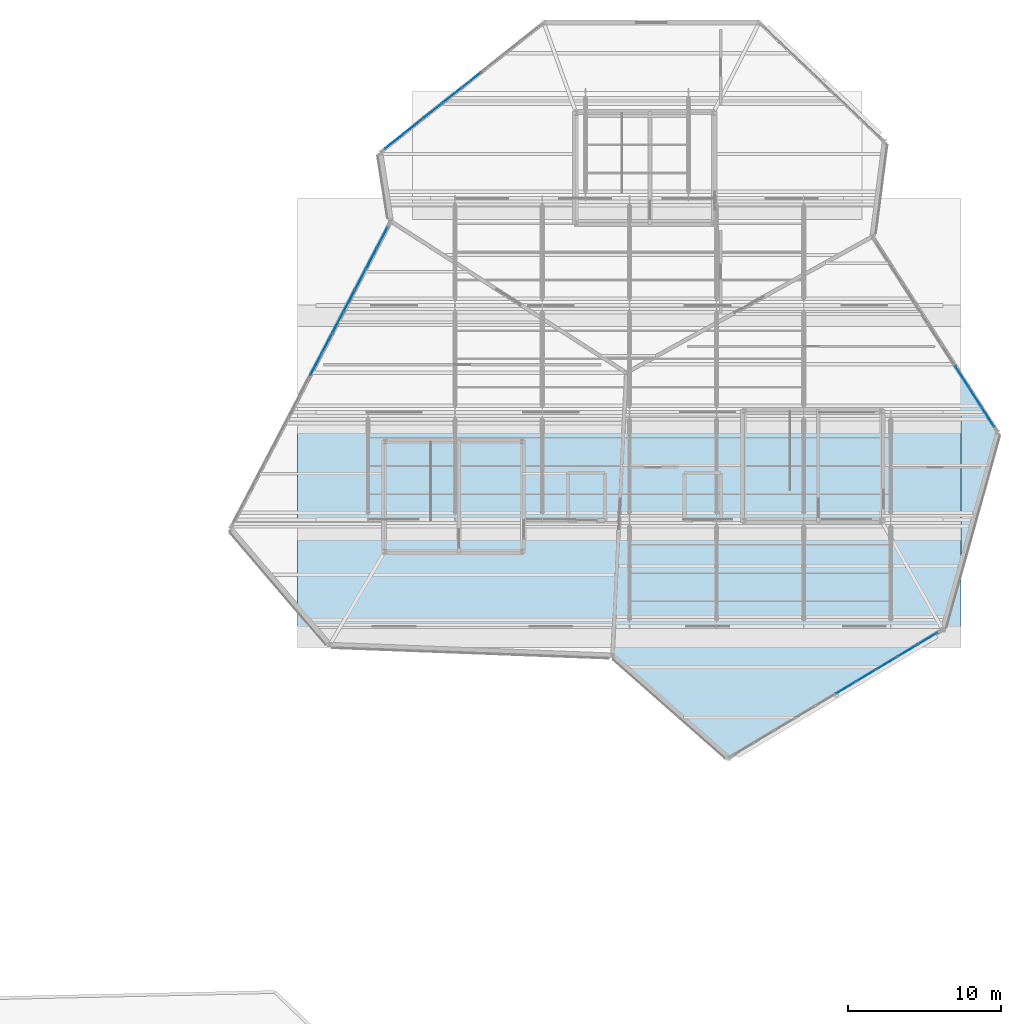
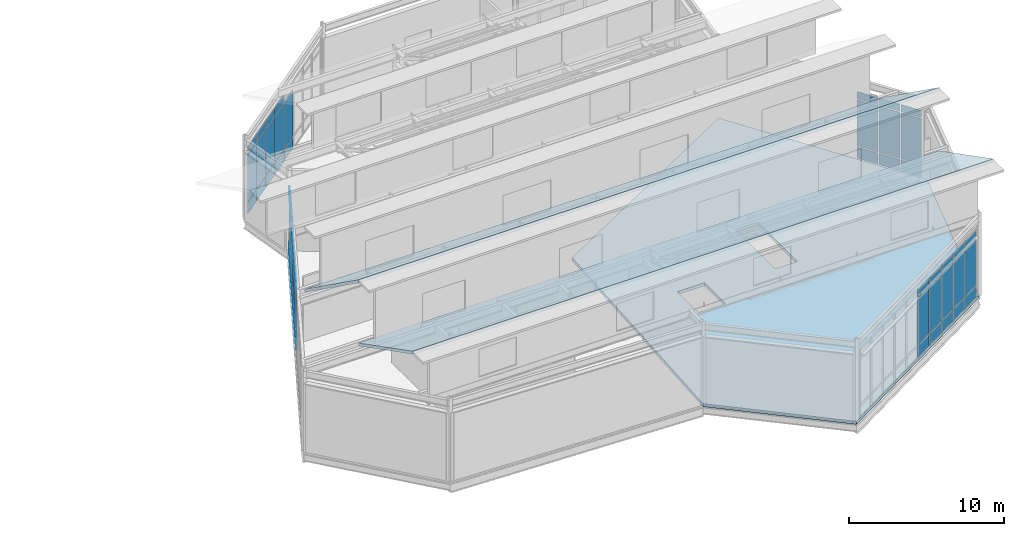
# One storey, part 43 of 55: 59 plates, 3 slabs, 4 elements without a shape of their own.
"""IFC4 building model written with IfcOpenShell, lengths in metres."""

from ifc_helpers import new_model, si_unit, direction, frame, origin, origin_2d, place, context, subcontext, project, spatial, polyline, rectangle, outline, extrude, material, layer, layer_set, type_object, element, aggregate, save


model = new_model("IFC4")

# Units and contexts
model_context = context("Model", 3, precision=1e-05, world=origin(), true_north=direction((0.0, 1.0)))
body_context = subcontext(model_context, "Body", "Model", "MODEL_VIEW")
ifc_project = project(units=[si_unit("LENGTHUNIT", "METRE"), si_unit("AREAUNIT", "SQUARE_METRE"), si_unit("VOLUMEUNIT", "CUBIC_METRE"), si_unit("PLANEANGLEUNIT", "RADIAN"), si_unit("MASSUNIT", "GRAM", prefix="KILO")], contexts=[model_context])

# Site, building, storey
site_placement = place(None, origin())
site = spatial("IfcSite", under=ifc_project, at=site_placement, CompositionType="ELEMENT")
building_placement = place(site_placement, origin())
building = spatial("IfcBuilding", under=site, at=building_placement, Name="Tameran Prism Museum", CompositionType="ELEMENT")
storey_placement = place(building_placement, frame((0.0, 0.0, 28.800048828125)))
storey = spatial("IfcBuildingStorey", under=building, at=storey_placement, Name="L05", CompositionType="ELEMENT", Elevation=28.800048828125)

# Curtain wall, plates
ifc_material_1 = material(Name="Anodised Aluminium 6063-T6 and Cyclone Solar Glass", Category="aluminium")
curtain_wall_type_1 = type_object("IfcCurtainWallType", Name="CW-FAC-1563x542", PredefinedType="USERDEFINED", material=ifc_material_1)
curtain_wall_1_placement = place(storey_placement, origin())
curtain_wall_1 = element("IfcCurtainWall", 1, at=curtain_wall_1_placement, inside=storey, type_object=curtain_wall_type_1, Name="Unitised Curtain Wall CW-165", ObjectType="UNITISED CURTAIN WALL", PredefinedType="USERDEFINED")
ifc_material_2 = material(Name="Low-E Laminated Solar Glass", Category="glass")
ifc_layer_1 = layer(ifc_material_2, 0.028076171875)
ifc_layer_set_1 = layer_set([ifc_layer_1])
plate_type_1 = type_object("IfcPlateType", Name="CW-PNL-G28", PredefinedType="CURTAIN_PANEL", material=ifc_layer_set_1)
plate_1_placement = place(storey_placement, frame((138.513916015625, 71.708251953125, 0.0751953125), z_axis=(0.0, 0.0, 1.0), x_axis=(-0.857492925713, -0.514495755426, 0.0)))
plate_1 = element("IfcPlate", 2, at=plate_1_placement, type_object=plate_type_1, Name="CW-165 panel 1.1", PredefinedType="CURTAIN_PANEL", context=body_context, shape_type="SweptSolid", body=[
    extrude(rectangle(XDim=1.4501953125, YDim=0.028076171875, at=origin_2d()), origin(), (0.0, 0.0, 1.0), 0.887451171875),
])
plate_2_placement = place(storey_placement, frame((138.513916015625, 71.708251953125, 1.037353515625), z_axis=(0.0, 0.0, 1.0), x_axis=(-0.857492925713, -0.514495755426, 0.0)))
plate_2 = element("IfcPlate", 3, at=plate_2_placement, type_object=plate_type_1, Name="CW-165 panel 1.2", PredefinedType="CURTAIN_PANEL", context=body_context, shape_type="SweptSolid", body=[
    extrude(rectangle(XDim=1.4501953125, YDim=0.028076171875, at=origin_2d()), origin(), (0.0, 0.0, 1.0), 3.6650390625),
])
plate_3_placement = place(storey_placement, frame((138.513916015625, 71.708251953125, 4.777587890625), z_axis=(0.0, 0.0, 1.0), x_axis=(-0.857492925713, -0.514495755426, 0.0)))
plate_3 = element("IfcPlate", 4, at=plate_3_placement, type_object=plate_type_1, Name="CW-165 panel 1.3", PredefinedType="CURTAIN_PANEL", context=body_context, shape_type="SweptSolid", body=[
    extrude(rectangle(XDim=1.4501953125, YDim=0.028076171875, at=origin_2d()), origin(), (0.0, 0.0, 1.0), 0.5673828125),
])
plate_4_placement = place(storey_placement, frame((137.18994140625, 70.9140625, 0.0751953125), z_axis=(0.0, 0.0, 1.0), x_axis=(-0.857492925713, -0.514495755426, 0.0)))
plate_4 = element("IfcPlate", 5, at=plate_4_placement, type_object=plate_type_1, Name="CW-165 panel 2.1", PredefinedType="CURTAIN_PANEL", context=body_context, shape_type="SweptSolid", body=[
    extrude(rectangle(XDim=1.48779296875, YDim=0.028076171875, at=origin_2d()), origin(), (0.0, 0.0, 1.0), 0.887451171875),
])
plate_5_placement = place(storey_placement, frame((137.18994140625, 70.9140625, 1.037353515625), z_axis=(0.0, 0.0, 1.0), x_axis=(-0.857492925713, -0.514495755426, 0.0)))
plate_5 = element("IfcPlate", 6, at=plate_5_placement, type_object=plate_type_1, Name="CW-165 panel 2.2", PredefinedType="CURTAIN_PANEL", context=body_context, shape_type="SweptSolid", body=[
    extrude(rectangle(XDim=1.48779296875, YDim=0.028076171875, at=origin_2d()), origin(), (0.0, 0.0, 1.0), 3.6650390625),
])
plate_6_placement = place(storey_placement, frame((137.18994140625, 70.9140625, 4.777587890625), z_axis=(0.0, 0.0, 1.0), x_axis=(-0.857492925713, -0.514495755426, 0.0)))
plate_6 = element("IfcPlate", 7, at=plate_6_placement, type_object=plate_type_1, Name="CW-165 panel 2.3", PredefinedType="CURTAIN_PANEL", context=body_context, shape_type="SweptSolid", body=[
    extrude(rectangle(XDim=1.48779296875, YDim=0.028076171875, at=origin_2d()), origin(), (0.0, 0.0, 1.0), 0.5673828125),
])
plate_7_placement = place(storey_placement, frame((135.85009765625, 70.110107421875, 0.0751953125), z_axis=(0.0, 0.0, 1.0), x_axis=(-0.857492925713, -0.514495755426, 0.0)))
plate_7 = element("IfcPlate", 8, at=plate_7_placement, type_object=plate_type_1, Name="CW-165 panel 3.1", PredefinedType="CURTAIN_PANEL", context=body_context, shape_type="SweptSolid", body=[
    extrude(rectangle(XDim=1.48779296875, YDim=0.028076171875, at=origin_2d()), origin(), (0.0, 0.0, 1.0), 0.887451171875),
])
plate_8_placement = place(storey_placement, frame((135.85009765625, 70.110107421875, 1.037353515625), z_axis=(0.0, 0.0, 1.0), x_axis=(-0.857492925713, -0.514495755426, 0.0)))
plate_8 = element("IfcPlate", 9, at=plate_8_placement, type_object=plate_type_1, Name="CW-165 panel 3.2", PredefinedType="CURTAIN_PANEL", context=body_context, shape_type="SweptSolid", body=[
    extrude(rectangle(XDim=1.48779296875, YDim=0.028076171875, at=origin_2d()), origin(), (0.0, 0.0, 1.0), 3.6650390625),
])
plate_9_placement = place(storey_placement, frame((135.85009765625, 70.110107421875, 4.777587890625), z_axis=(0.0, 0.0, 1.0), x_axis=(-0.857492925713, -0.514495755426, 0.0)))
plate_9 = element("IfcPlate", 10, at=plate_9_placement, type_object=plate_type_1, Name="CW-165 panel 3.3", PredefinedType="CURTAIN_PANEL", context=body_context, shape_type="SweptSolid", body=[
    extrude(rectangle(XDim=1.48779296875, YDim=0.028076171875, at=origin_2d()), origin(), (0.0, 0.0, 1.0), 0.5673828125),
])
plate_10_placement = place(storey_placement, frame((134.510009765625, 69.305908203125, 0.0751953125), z_axis=(0.0, 0.0, 1.0), x_axis=(-0.857492925713, -0.514495755426, 0.0)))
plate_10 = element("IfcPlate", 11, at=plate_10_placement, type_object=plate_type_1, Name="CW-165 panel 4.1", PredefinedType="CURTAIN_PANEL", context=body_context, shape_type="SweptSolid", body=[
    extrude(rectangle(XDim=1.48779296875, YDim=0.028076171875, at=origin_2d()), origin(), (0.0, 0.0, 1.0), 0.887451171875),
])
plate_11_placement = place(storey_placement, frame((134.510009765625, 69.305908203125, 1.037353515625), z_axis=(0.0, 0.0, 1.0), x_axis=(-0.857492925713, -0.514495755426, 0.0)))
plate_11 = element("IfcPlate", 12, at=plate_11_placement, type_object=plate_type_1, Name="CW-165 panel 4.2", PredefinedType="CURTAIN_PANEL", context=body_context, shape_type="SweptSolid", body=[
    extrude(rectangle(XDim=1.48779296875, YDim=0.028076171875, at=origin_2d()), origin(), (0.0, 0.0, 1.0), 3.6650390625),
])
plate_12_placement = place(storey_placement, frame((134.510009765625, 69.305908203125, 4.777587890625), z_axis=(0.0, 0.0, 1.0), x_axis=(-0.857492925713, -0.514495755426, 0.0)))
plate_12 = element("IfcPlate", 13, at=plate_12_placement, type_object=plate_type_1, Name="CW-165 panel 4.3", PredefinedType="CURTAIN_PANEL", context=body_context, shape_type="SweptSolid", body=[
    extrude(rectangle(XDim=1.48779296875, YDim=0.028076171875, at=origin_2d()), origin(), (0.0, 0.0, 1.0), 0.5673828125),
])
plate_13_placement = place(storey_placement, frame((133.169921875, 68.501953125, 0.0751953125), z_axis=(0.0, 0.0, 1.0), x_axis=(-0.857492925713, -0.514495755426, 0.0)))
plate_13 = element("IfcPlate", 14, at=plate_13_placement, type_object=plate_type_1, Name="CW-165 panel 5.1", PredefinedType="CURTAIN_PANEL", context=body_context, shape_type="SweptSolid", body=[
    extrude(rectangle(XDim=1.48779296875, YDim=0.028076171875, at=origin_2d()), origin(), (0.0, 0.0, 1.0), 0.887451171875),
])
plate_14_placement = place(storey_placement, frame((133.169921875, 68.501953125, 1.037353515625), z_axis=(0.0, 0.0, 1.0), x_axis=(-0.857492925713, -0.514495755426, 0.0)))
plate_14 = element("IfcPlate", 15, at=plate_14_placement, type_object=plate_type_1, Name="CW-165 panel 5.2", PredefinedType="CURTAIN_PANEL", context=body_context, shape_type="SweptSolid", body=[
    extrude(rectangle(XDim=1.48779296875, YDim=0.028076171875, at=origin_2d()), origin(), (0.0, 0.0, 1.0), 3.6650390625),
])
plate_15_placement = place(storey_placement, frame((133.169921875, 68.501953125, 4.777587890625), z_axis=(0.0, 0.0, 1.0), x_axis=(-0.857492925713, -0.514495755426, 0.0)))
plate_15 = element("IfcPlate", 16, at=plate_15_placement, type_object=plate_type_1, Name="CW-165 panel 5.3", PredefinedType="CURTAIN_PANEL", context=body_context, shape_type="SweptSolid", body=[
    extrude(rectangle(XDim=1.48779296875, YDim=0.028076171875, at=origin_2d()), origin(), (0.0, 0.0, 1.0), 0.5673828125),
])
aggregate(curtain_wall_1, [plate_1, plate_2, plate_3, plate_4, plate_5, plate_6, plate_7, plate_8, plate_9, plate_10, plate_11, plate_12, plate_13, plate_14, plate_15])

ifc_material_3 = material(Name="Anodised Aluminium 6063-T6 and Cyclone Solar Glass", Category="aluminium")
curtain_wall_type_2 = type_object("IfcCurtainWallType", Name="CW-FAC-2192x542", PredefinedType="USERDEFINED", material=ifc_material_3)
curtain_wall_2_placement = place(storey_placement, origin())
curtain_wall_2 = element("IfcCurtainWall", 17, at=curtain_wall_2_placement, inside=storey, type_object=curtain_wall_type_2, Name="Unitised Curtain Wall CW-164", ObjectType="UNITISED CURTAIN WALL", PredefinedType="USERDEFINED")
ifc_material_4 = material(Name="Cyclone Laminated Solar Glass", Category="glass")
ifc_layer_2 = layer(ifc_material_4, 0.031982421875)
ifc_layer_set_2 = layer_set([ifc_layer_2])
plate_type_2 = type_object("IfcPlateType", Name="CW-PNL-G32", PredefinedType="CURTAIN_PANEL", material=ifc_layer_set_2)
plate_16_placement = place(storey_placement, frame((98.49853515625, 89.617431640625, 0.06982421875), z_axis=(0.0, 0.0, 1.0), x_axis=(0.463002540551, 0.886356952612, 0.0)))
plate_16 = element("IfcPlate", 18, at=plate_16_placement, type_object=plate_type_2, Name="CW-164 panel 8.1", PredefinedType="CURTAIN_PANEL", context=body_context, shape_type="SweptSolid", body=[
    extrude(rectangle(XDim=1.49560546875, YDim=0.031982421875, at=origin_2d()), origin(), (0.0, 0.0, 1.0), 0.89501953125),
])
plate_17_placement = place(storey_placement, frame((98.49853515625, 89.617431640625, 1.034912109375), z_axis=(0.0, 0.0, 1.0), x_axis=(0.463002540551, 0.886356952612, 0.0)))
plate_17 = element("IfcPlate", 19, at=plate_17_placement, type_object=plate_type_2, Name="CW-164 panel 8.2", PredefinedType="CURTAIN_PANEL", context=body_context, shape_type="SweptSolid", body=[
    extrude(rectangle(XDim=1.49560546875, YDim=0.031982421875, at=origin_2d()), origin(), (0.0, 0.0, 1.0), 3.669921875),
])
plate_18_placement = place(storey_placement, frame((98.49853515625, 89.617431640625, 4.77490234375), z_axis=(0.0, 0.0, 1.0), x_axis=(0.463002540551, 0.886356952612, 0.0)))
plate_18 = element("IfcPlate", 20, at=plate_18_placement, type_object=plate_type_2, Name="CW-164 panel 8.3", PredefinedType="CURTAIN_PANEL", context=body_context, shape_type="SweptSolid", body=[
    extrude(rectangle(XDim=1.49560546875, YDim=0.031982421875, at=origin_2d()), origin(), (0.0, 0.0, 1.0), 0.574951171875),
])
plate_19_placement = place(storey_placement, frame((99.223388671875, 91.0048828125, 0.06982421875), z_axis=(0.0, 0.0, 1.0), x_axis=(0.463002540551, 0.886356952612, 0.0)))
plate_19 = element("IfcPlate", 21, at=plate_19_placement, type_object=plate_type_2, Name="CW-164 panel 9.1", PredefinedType="CURTAIN_PANEL", context=body_context, shape_type="SweptSolid", body=[
    extrude(rectangle(XDim=1.49560546875, YDim=0.031982421875, at=origin_2d()), origin(), (0.0, 0.0, 1.0), 0.89501953125),
])
plate_20_placement = place(storey_placement, frame((99.223388671875, 91.0048828125, 1.034912109375), z_axis=(0.0, 0.0, 1.0), x_axis=(0.463002540551, 0.886356952612, 0.0)))
plate_20 = element("IfcPlate", 22, at=plate_20_placement, type_object=plate_type_2, Name="CW-164 panel 9.2", PredefinedType="CURTAIN_PANEL", context=body_context, shape_type="SweptSolid", body=[
    extrude(rectangle(XDim=1.49560546875, YDim=0.031982421875, at=origin_2d()), origin(), (0.0, 0.0, 1.0), 3.669921875),
])
plate_21_placement = place(storey_placement, frame((99.223388671875, 91.0048828125, 4.77490234375), z_axis=(0.0, 0.0, 1.0), x_axis=(0.463002540551, 0.886356952612, 0.0)))
plate_21 = element("IfcPlate", 23, at=plate_21_placement, type_object=plate_type_2, Name="CW-164 panel 9.3", PredefinedType="CURTAIN_PANEL", context=body_context, shape_type="SweptSolid", body=[
    extrude(rectangle(XDim=1.49560546875, YDim=0.031982421875, at=origin_2d()), origin(), (0.0, 0.0, 1.0), 0.574951171875),
])
plate_22_placement = place(storey_placement, frame((99.9482421875, 92.392578125, 0.06982421875), z_axis=(0.0, 0.0, 1.0), x_axis=(0.463002540551, 0.886356952612, 0.0)))
plate_22 = element("IfcPlate", 24, at=plate_22_placement, type_object=plate_type_2, Name="CW-164 panel 10.1", PredefinedType="CURTAIN_PANEL", context=body_context, shape_type="SweptSolid", body=[
    extrude(rectangle(XDim=1.49560546875, YDim=0.031982421875, at=origin_2d()), origin(), (0.0, 0.0, 1.0), 0.89501953125),
])
plate_23_placement = place(storey_placement, frame((99.9482421875, 92.392578125, 1.034912109375), z_axis=(0.0, 0.0, 1.0), x_axis=(0.463002540551, 0.886356952612, 0.0)))
plate_23 = element("IfcPlate", 25, at=plate_23_placement, type_object=plate_type_2, Name="CW-164 panel 10.2", PredefinedType="CURTAIN_PANEL", context=body_context, shape_type="SweptSolid", body=[
    extrude(rectangle(XDim=1.49560546875, YDim=0.031982421875, at=origin_2d()), origin(), (0.0, 0.0, 1.0), 3.669921875),
])
plate_24_placement = place(storey_placement, frame((99.9482421875, 92.392578125, 4.77490234375), z_axis=(0.0, 0.0, 1.0), x_axis=(0.463002540551, 0.886356952612, 0.0)))
plate_24 = element("IfcPlate", 26, at=plate_24_placement, type_object=plate_type_2, Name="CW-164 panel 10.3", PredefinedType="CURTAIN_PANEL", context=body_context, shape_type="SweptSolid", body=[
    extrude(rectangle(XDim=1.49560546875, YDim=0.031982421875, at=origin_2d()), origin(), (0.0, 0.0, 1.0), 0.574951171875),
])
plate_25_placement = place(storey_placement, frame((100.673095703125, 93.7802734375, 0.06982421875), z_axis=(0.0, 0.0, 1.0), x_axis=(0.463002540551, 0.886356952612, 0.0)))
plate_25 = element("IfcPlate", 27, at=plate_25_placement, type_object=plate_type_2, Name="CW-164 panel 11.1", PredefinedType="CURTAIN_PANEL", context=body_context, shape_type="SweptSolid", body=[
    extrude(rectangle(XDim=1.49560546875, YDim=0.031982421875, at=origin_2d()), origin(), (0.0, 0.0, 1.0), 0.89501953125),
])
plate_26_placement = place(storey_placement, frame((100.673095703125, 93.7802734375, 1.034912109375), z_axis=(0.0, 0.0, 1.0), x_axis=(0.463002540551, 0.886356952612, 0.0)))
plate_26 = element("IfcPlate", 28, at=plate_26_placement, type_object=plate_type_2, Name="CW-164 panel 11.2", PredefinedType="CURTAIN_PANEL", context=body_context, shape_type="SweptSolid", body=[
    extrude(rectangle(XDim=1.49560546875, YDim=0.031982421875, at=origin_2d()), origin(), (0.0, 0.0, 1.0), 3.669921875),
])
plate_27_placement = place(storey_placement, frame((100.673095703125, 93.7802734375, 4.77490234375), z_axis=(0.0, 0.0, 1.0), x_axis=(0.463002540551, 0.886356952612, 0.0)))
plate_27 = element("IfcPlate", 29, at=plate_27_placement, type_object=plate_type_2, Name="CW-164 panel 11.3", PredefinedType="CURTAIN_PANEL", context=body_context, shape_type="SweptSolid", body=[
    extrude(rectangle(XDim=1.49560546875, YDim=0.031982421875, at=origin_2d()), origin(), (0.0, 0.0, 1.0), 0.574951171875),
])
plate_28_placement = place(storey_placement, frame((101.39794921875, 95.16796875, 0.06982421875), z_axis=(0.0, 0.0, 1.0), x_axis=(0.463002540551, 0.886356952612, 0.0)))
plate_28 = element("IfcPlate", 30, at=plate_28_placement, type_object=plate_type_2, Name="CW-164 panel 12.1", PredefinedType="CURTAIN_PANEL", context=body_context, shape_type="SweptSolid", body=[
    extrude(rectangle(XDim=1.49560546875, YDim=0.031982421875, at=origin_2d()), origin(), (0.0, 0.0, 1.0), 0.89501953125),
])
plate_29_placement = place(storey_placement, frame((101.39794921875, 95.16796875, 1.034912109375), z_axis=(0.0, 0.0, 1.0), x_axis=(0.463002540551, 0.886356952612, 0.0)))
plate_29 = element("IfcPlate", 31, at=plate_29_placement, type_object=plate_type_2, Name="CW-164 panel 12.2", PredefinedType="CURTAIN_PANEL", context=body_context, shape_type="SweptSolid", body=[
    extrude(rectangle(XDim=1.49560546875, YDim=0.031982421875, at=origin_2d()), origin(), (0.0, 0.0, 1.0), 3.669921875),
])
plate_30_placement = place(storey_placement, frame((101.39794921875, 95.16796875, 4.77490234375), z_axis=(0.0, 0.0, 1.0), x_axis=(0.463002540551, 0.886356952612, 0.0)))
plate_30 = element("IfcPlate", 32, at=plate_30_placement, type_object=plate_type_2, Name="CW-164 panel 12.3", PredefinedType="CURTAIN_PANEL", context=body_context, shape_type="SweptSolid", body=[
    extrude(rectangle(XDim=1.49560546875, YDim=0.031982421875, at=origin_2d()), origin(), (0.0, 0.0, 1.0), 0.574951171875),
])
plate_31_placement = place(storey_placement, frame((102.122802734375, 96.555419921875, 0.06982421875), z_axis=(0.0, 0.0, 1.0), x_axis=(0.463002540551, 0.886356952612, 0.0)))
plate_31 = element("IfcPlate", 33, at=plate_31_placement, type_object=plate_type_2, Name="CW-164 panel 13.1", PredefinedType="CURTAIN_PANEL", context=body_context, shape_type="SweptSolid", body=[
    extrude(rectangle(XDim=1.49560546875, YDim=0.031982421875, at=origin_2d()), origin(), (0.0, 0.0, 1.0), 0.89501953125),
])
plate_32_placement = place(storey_placement, frame((102.122802734375, 96.555419921875, 1.034912109375), z_axis=(0.0, 0.0, 1.0), x_axis=(0.463002540551, 0.886356952612, 0.0)))
plate_32 = element("IfcPlate", 34, at=plate_32_placement, type_object=plate_type_2, Name="CW-164 panel 13.2", PredefinedType="CURTAIN_PANEL", context=body_context, shape_type="SweptSolid", body=[
    extrude(rectangle(XDim=1.49560546875, YDim=0.031982421875, at=origin_2d()), origin(), (0.0, 0.0, 1.0), 3.669921875),
])
plate_33_placement = place(storey_placement, frame((102.122802734375, 96.555419921875, 4.77490234375), z_axis=(0.0, 0.0, 1.0), x_axis=(0.463002540551, 0.886356952612, 0.0)))
plate_33 = element("IfcPlate", 35, at=plate_33_placement, type_object=plate_type_2, Name="CW-164 panel 13.3", PredefinedType="CURTAIN_PANEL", context=body_context, shape_type="SweptSolid", body=[
    extrude(rectangle(XDim=1.49560546875, YDim=0.031982421875, at=origin_2d()), origin(), (0.0, 0.0, 1.0), 0.574951171875),
])
plate_34_placement = place(storey_placement, frame((102.83935546875, 97.927734375, 0.06982421875), z_axis=(0.0, 0.0, 1.0), x_axis=(0.463002540551, 0.886356952612, 0.0)))
plate_34 = element("IfcPlate", 36, at=plate_34_placement, type_object=plate_type_2, Name="CW-164 panel 14.1", PredefinedType="CURTAIN_PANEL", context=body_context, shape_type="SweptSolid", body=[
    extrude(rectangle(XDim=1.46044921875, YDim=0.031982421875, at=origin_2d()), origin(), (0.0, 0.0, 1.0), 0.89501953125),
])
plate_35_placement = place(storey_placement, frame((102.83935546875, 97.927734375, 1.034912109375), z_axis=(0.0, 0.0, 1.0), x_axis=(0.463002540551, 0.886356952612, 0.0)))
plate_35 = element("IfcPlate", 37, at=plate_35_placement, type_object=plate_type_2, Name="CW-164 panel 14.2", PredefinedType="CURTAIN_PANEL", context=body_context, shape_type="SweptSolid", body=[
    extrude(rectangle(XDim=1.46044921875, YDim=0.031982421875, at=origin_2d()), origin(), (0.0, 0.0, 1.0), 3.669921875),
])
plate_36_placement = place(storey_placement, frame((102.83935546875, 97.927734375, 4.77490234375), z_axis=(0.0, 0.0, 1.0), x_axis=(0.463002540551, 0.886356952612, 0.0)))
plate_36 = element("IfcPlate", 38, at=plate_36_placement, type_object=plate_type_2, Name="CW-164 panel 14.3", PredefinedType="CURTAIN_PANEL", context=body_context, shape_type="SweptSolid", body=[
    extrude(rectangle(XDim=1.46044921875, YDim=0.031982421875, at=origin_2d()), origin(), (0.0, 0.0, 1.0), 0.574951171875),
])
aggregate(curtain_wall_2, [plate_16, plate_17, plate_18, plate_19, plate_20, plate_21, plate_22, plate_23, plate_24, plate_25, plate_26, plate_27, plate_28, plate_29, plate_30, plate_31, plate_32, plate_33, plate_34, plate_35, plate_36])

ifc_material_5 = material(Name="Anodised Aluminium 6063-T6 and Cyclone Solar Glass", Category="aluminium")
curtain_wall_type_3 = type_object("IfcCurtainWallType", Name="CW-FAC-1444x542", PredefinedType="USERDEFINED", material=ifc_material_5)
curtain_wall_3_placement = place(storey_placement, origin())
curtain_wall_3 = element("IfcCurtainWall", 39, at=curtain_wall_3_placement, inside=storey, type_object=curtain_wall_type_3, Name="Unitised Curtain Wall CW-166", ObjectType="UNITISED CURTAIN WALL", PredefinedType="USERDEFINED")
plate_37_placement = place(storey_placement, frame((140.7470703125, 88.872802734375, 0.080078125), z_axis=(0.0, 0.0, 1.0), x_axis=(0.539426990683, -0.842032375697, 0.0)))
plate_37 = element("IfcPlate", 40, at=plate_37_placement, type_object=plate_type_2, Name="CW-166 panel 7.1", PredefinedType="CURTAIN_PANEL", context=body_context, shape_type="SweptSolid", body=[
    extrude(rectangle(XDim=1.524658203125, YDim=0.031982421875, at=origin_2d()), origin(), (0.0, 0.0, 1.0), 0.8798828125),
])
plate_38_placement = place(storey_placement, frame((140.7470703125, 88.872802734375, 1.0400390625), z_axis=(0.0, 0.0, 1.0), x_axis=(0.539426990683, -0.842032375697, 0.0)))
plate_38 = element("IfcPlate", 41, at=plate_38_placement, type_object=plate_type_2, Name="CW-166 panel 7.2", PredefinedType="CURTAIN_PANEL", context=body_context, shape_type="SweptSolid", body=[
    extrude(rectangle(XDim=1.524658203125, YDim=0.031982421875, at=origin_2d()), origin(), (0.0, 0.0, 1.0), 3.659912109375),
])
plate_39_placement = place(storey_placement, frame((140.7470703125, 88.872802734375, 4.780029296875), z_axis=(0.0, 0.0, 1.0), x_axis=(0.539426990683, -0.842032375697, 0.0)))
plate_39 = element("IfcPlate", 42, at=plate_39_placement, type_object=plate_type_2, Name="CW-166 panel 7.3", PredefinedType="CURTAIN_PANEL", context=body_context, shape_type="SweptSolid", body=[
    extrude(rectangle(XDim=1.524658203125, YDim=0.031982421875, at=origin_2d()), origin(), (0.0, 0.0, 1.0), 0.56005859375),
])
plate_40_placement = place(storey_placement, frame((141.612548828125, 87.521728515625, 0.080078125), z_axis=(0.0, 0.0, 1.0), x_axis=(0.539426990683, -0.842032375697, 0.0)))
plate_40 = element("IfcPlate", 43, at=plate_40_placement, type_object=plate_type_2, Name="CW-166 panel 8.1", PredefinedType="CURTAIN_PANEL", context=body_context, shape_type="SweptSolid", body=[
    extrude(rectangle(XDim=1.524658203125, YDim=0.031982421875, at=origin_2d()), origin(), (0.0, 0.0, 1.0), 0.8798828125),
])
plate_41_placement = place(storey_placement, frame((141.612548828125, 87.521728515625, 1.0400390625), z_axis=(0.0, 0.0, 1.0), x_axis=(0.539426990683, -0.842032375697, 0.0)))
plate_41 = element("IfcPlate", 44, at=plate_41_placement, type_object=plate_type_2, Name="CW-166 panel 8.2", PredefinedType="CURTAIN_PANEL", context=body_context, shape_type="SweptSolid", body=[
    extrude(rectangle(XDim=1.524658203125, YDim=0.031982421875, at=origin_2d()), origin(), (0.0, 0.0, 1.0), 3.659912109375),
])
plate_42_placement = place(storey_placement, frame((141.612548828125, 87.521728515625, 4.780029296875), z_axis=(0.0, 0.0, 1.0), x_axis=(0.539426990683, -0.842032375697, 0.0)))
plate_42 = element("IfcPlate", 45, at=plate_42_placement, type_object=plate_type_2, Name="CW-166 panel 8.3", PredefinedType="CURTAIN_PANEL", context=body_context, shape_type="SweptSolid", body=[
    extrude(rectangle(XDim=1.524658203125, YDim=0.031982421875, at=origin_2d()), origin(), (0.0, 0.0, 1.0), 0.56005859375),
])
plate_43_placement = place(storey_placement, frame((142.467529296875, 86.1875, 0.080078125), z_axis=(0.0, 0.0, 1.0), x_axis=(0.539426990683, -0.842032375697, 0.0)))
plate_43 = element("IfcPlate", 46, at=plate_43_placement, type_object=plate_type_2, Name="CW-166 panel 9.1", PredefinedType="CURTAIN_PANEL", context=body_context, shape_type="SweptSolid", body=[
    extrude(rectangle(XDim=1.484619140625, YDim=0.031982421875, at=origin_2d()), origin(), (0.0, 0.0, 1.0), 0.8798828125),
])
plate_44_placement = place(storey_placement, frame((142.467529296875, 86.1875, 1.0400390625), z_axis=(0.0, 0.0, 1.0), x_axis=(0.539426990683, -0.842032375697, 0.0)))
plate_44 = element("IfcPlate", 47, at=plate_44_placement, type_object=plate_type_2, Name="CW-166 panel 9.2", PredefinedType="CURTAIN_PANEL", context=body_context, shape_type="SweptSolid", body=[
    extrude(rectangle(XDim=1.484619140625, YDim=0.031982421875, at=origin_2d()), origin(), (0.0, 0.0, 1.0), 3.659912109375),
])
plate_45_placement = place(storey_placement, frame((142.467529296875, 86.1875, 4.780029296875), z_axis=(0.0, 0.0, 1.0), x_axis=(0.539426990683, -0.842032375697, 0.0)))
plate_45 = element("IfcPlate", 48, at=plate_45_placement, type_object=plate_type_2, Name="CW-166 panel 9.3", PredefinedType="CURTAIN_PANEL", context=body_context, shape_type="SweptSolid", body=[
    extrude(rectangle(XDim=1.484619140625, YDim=0.031982421875, at=origin_2d()), origin(), (0.0, 0.0, 1.0), 0.56005859375),
])
aggregate(curtain_wall_3, [plate_37, plate_38, plate_39, plate_40, plate_41, plate_42, plate_43, plate_44, plate_45])

ifc_material_6 = material(Name="Anodised Aluminium 6063-T6 and Cyclone Solar Glass", Category="aluminium")
curtain_wall_type_4 = type_object("IfcCurtainWallType", Name="CW-FAC-1296x542", PredefinedType="USERDEFINED", material=ifc_material_6)
curtain_wall_4_placement = place(storey_placement, origin())
curtain_wall_4 = element("IfcCurtainWall", 49, at=curtain_wall_4_placement, inside=storey, type_object=curtain_wall_type_4, Name="Unitised Curtain Wall CW-168", ObjectType="UNITISED CURTAIN WALL", PredefinedType="USERDEFINED")
plate_46_placement = place(storey_placement, frame((103.622314453125, 104.23291015625, 0.06982421875), z_axis=(0.0, 0.0, 1.0), x_axis=(0.783031296178, 0.621982306183, 0.0)))
plate_46 = element("IfcPlate", 50, at=plate_46_placement, type_object=plate_type_2, Name="CW-168 panel 1.1", PredefinedType="CURTAIN_PANEL", context=body_context, shape_type="SweptSolid", body=[
    extrude(rectangle(XDim=1.515625, YDim=0.031982421875, at=origin_2d()), origin(), (0.0, 0.0, 1.0), 0.89501953125),
])
plate_47_placement = place(storey_placement, frame((103.622314453125, 104.23291015625, 1.034912109375), z_axis=(0.0, 0.0, 1.0), x_axis=(0.783031296178, 0.621982306183, 0.0)))
plate_47 = element("IfcPlate", 51, at=plate_47_placement, type_object=plate_type_2, Name="CW-168 panel 1.2", PredefinedType="CURTAIN_PANEL", context=body_context, shape_type="SweptSolid", body=[
    extrude(rectangle(XDim=1.515625, YDim=0.031982421875, at=origin_2d()), origin(), (0.0, 0.0, 1.0), 3.669921875),
])
plate_48_placement = place(storey_placement, frame((103.622314453125, 104.23291015625, 4.77490234375), z_axis=(0.0, 0.0, 1.0), x_axis=(0.783031296178, 0.621982306183, 0.0)))
plate_48 = element("IfcPlate", 52, at=plate_48_placement, type_object=plate_type_2, Name="CW-168 panel 1.3", PredefinedType="CURTAIN_PANEL", context=body_context, shape_type="SweptSolid", body=[
    extrude(rectangle(XDim=1.515625, YDim=0.031982421875, at=origin_2d()), origin(), (0.0, 0.0, 1.0), 0.574951171875),
])
plate_49_placement = place(storey_placement, frame((104.87744140625, 105.22998046875, 0.06982421875), z_axis=(0.0, 0.0, 1.0), x_axis=(0.783031296178, 0.621982306183, 0.0)))
plate_49 = element("IfcPlate", 53, at=plate_49_placement, type_object=plate_type_2, Name="CW-168 panel 2.1", PredefinedType="CURTAIN_PANEL", context=body_context, shape_type="SweptSolid", body=[
    extrude(rectangle(XDim=1.550537109375, YDim=0.031982421875, at=origin_2d()), origin(), (0.0, 0.0, 1.0), 0.89501953125),
])
plate_50_placement = place(storey_placement, frame((104.87744140625, 105.22998046875, 1.034912109375), z_axis=(0.0, 0.0, 1.0), x_axis=(0.783031296178, 0.621982306183, 0.0)))
plate_50 = element("IfcPlate", 54, at=plate_50_placement, type_object=plate_type_2, Name="CW-168 panel 2.2", PredefinedType="CURTAIN_PANEL", context=body_context, shape_type="SweptSolid", body=[
    extrude(rectangle(XDim=1.550537109375, YDim=0.031982421875, at=origin_2d()), origin(), (0.0, 0.0, 1.0), 3.669921875),
])
plate_51_placement = place(storey_placement, frame((104.87744140625, 105.22998046875, 4.77490234375), z_axis=(0.0, 0.0, 1.0), x_axis=(0.783031296178, 0.621982306183, 0.0)))
plate_51 = element("IfcPlate", 55, at=plate_51_placement, type_object=plate_type_2, Name="CW-168 panel 2.3", PredefinedType="CURTAIN_PANEL", context=body_context, shape_type="SweptSolid", body=[
    extrude(rectangle(XDim=1.550537109375, YDim=0.031982421875, at=origin_2d()), origin(), (0.0, 0.0, 1.0), 0.574951171875),
])
plate_52_placement = place(storey_placement, frame((106.146484375, 106.238037109375, 0.06982421875), z_axis=(0.0, 0.0, 1.0), x_axis=(0.783031296178, 0.621982306183, 0.0)))
plate_52 = element("IfcPlate", 56, at=plate_52_placement, type_object=plate_type_2, Name="CW-168 panel 3.1", PredefinedType="CURTAIN_PANEL", context=body_context, shape_type="SweptSolid", body=[
    extrude(rectangle(XDim=1.550537109375, YDim=0.031982421875, at=origin_2d()), origin(), (0.0, 0.0, 1.0), 0.89501953125),
])
plate_53_placement = place(storey_placement, frame((106.146484375, 106.238037109375, 1.034912109375), z_axis=(0.0, 0.0, 1.0), x_axis=(0.783031296178, 0.621982306183, 0.0)))
plate_53 = element("IfcPlate", 57, at=plate_53_placement, type_object=plate_type_2, Name="CW-168 panel 3.2", PredefinedType="CURTAIN_PANEL", context=body_context, shape_type="SweptSolid", body=[
    extrude(rectangle(XDim=1.550537109375, YDim=0.031982421875, at=origin_2d()), origin(), (0.0, 0.0, 1.0), 3.669921875),
])
plate_54_placement = place(storey_placement, frame((106.146484375, 106.238037109375, 4.77490234375), z_axis=(0.0, 0.0, 1.0), x_axis=(0.783031296178, 0.621982306183, 0.0)))
plate_54 = element("IfcPlate", 58, at=plate_54_placement, type_object=plate_type_2, Name="CW-168 panel 3.3", PredefinedType="CURTAIN_PANEL", context=body_context, shape_type="SweptSolid", body=[
    extrude(rectangle(XDim=1.550537109375, YDim=0.031982421875, at=origin_2d()), origin(), (0.0, 0.0, 1.0), 0.574951171875),
])
plate_55_placement = place(storey_placement, frame((107.41552734375, 107.24609375, 0.06982421875), z_axis=(0.0, 0.0, 1.0), x_axis=(0.783031296178, 0.621982306183, 0.0)))
plate_55 = element("IfcPlate", 59, at=plate_55_placement, type_object=plate_type_2, Name="CW-168 panel 4.1", PredefinedType="CURTAIN_PANEL", context=body_context, shape_type="SweptSolid", body=[
    extrude(rectangle(XDim=1.550537109375, YDim=0.031982421875, at=origin_2d()), origin(), (0.0, 0.0, 1.0), 0.89501953125),
])
plate_56_placement = place(storey_placement, frame((107.41552734375, 107.24609375, 1.034912109375), z_axis=(0.0, 0.0, 1.0), x_axis=(0.783031296178, 0.621982306183, 0.0)))
plate_56 = element("IfcPlate", 60, at=plate_56_placement, type_object=plate_type_2, Name="CW-168 panel 4.2", PredefinedType="CURTAIN_PANEL", context=body_context, shape_type="SweptSolid", body=[
    extrude(rectangle(XDim=1.550537109375, YDim=0.031982421875, at=origin_2d()), origin(), (0.0, 0.0, 1.0), 3.669921875),
])
plate_57_placement = place(storey_placement, frame((107.41552734375, 107.24609375, 4.77490234375), z_axis=(0.0, 0.0, 1.0), x_axis=(0.783031296178, 0.621982306183, 0.0)))
plate_57 = element("IfcPlate", 61, at=plate_57_placement, type_object=plate_type_2, Name="CW-168 panel 4.3", PredefinedType="CURTAIN_PANEL", context=body_context, shape_type="SweptSolid", body=[
    extrude(rectangle(XDim=1.550537109375, YDim=0.031982421875, at=origin_2d()), origin(), (0.0, 0.0, 1.0), 0.574951171875),
])
plate_58_placement = place(storey_placement, frame((108.6845703125, 108.25390625, 0.06982421875), z_axis=(0.0, 0.0, 1.0), x_axis=(0.783031296178, 0.621982306183, 0.0)))
plate_58 = element("IfcPlate", 62, at=plate_58_placement, type_object=plate_type_2, Name="CW-168 panel 5.1", PredefinedType="CURTAIN_PANEL", context=body_context, shape_type="SweptSolid", body=[
    extrude(rectangle(XDim=1.550537109375, YDim=0.031982421875, at=origin_2d()), origin(), (0.0, 0.0, 1.0), 0.89501953125),
])
plate_59_placement = place(storey_placement, frame((108.6845703125, 108.25390625, 1.034912109375), z_axis=(0.0, 0.0, 1.0), x_axis=(0.783031296178, 0.621982306183, 0.0)))
plate_59 = element("IfcPlate", 63, at=plate_59_placement, type_object=plate_type_2, Name="CW-168 panel 5.2", PredefinedType="CURTAIN_PANEL", context=body_context, shape_type="SweptSolid", body=[
    extrude(rectangle(XDim=1.550537109375, YDim=0.031982421875, at=origin_2d()), origin(), (0.0, 0.0, 1.0), 3.669921875),
])
aggregate(curtain_wall_4, [plate_46, plate_47, plate_48, plate_49, plate_50, plate_51, plate_52, plate_53, plate_54, plate_55, plate_56, plate_57, plate_58, plate_59])

# Slabs
ifc_material_7 = material(Name="Concrete N40 (40 MPa)", Category="concrete")
ifc_layer_3 = layer(ifc_material_7, 0.239990234375)
ifc_layer_set_3 = layer_set([ifc_layer_3])
slab_type_1 = type_object("IfcSlabType", Name="SL-FLR-240", PredefinedType="FLOOR", material=ifc_layer_set_3)
slab_1_placement = place(storey_placement, frame((0.0, 0.0, -0.239990234375)))
element("IfcSlab", 64, at=slab_1_placement, inside=storey, type_object=slab_type_1, Name="Floor Slab FS-P02-L05", PredefinedType="FLOOR", context=body_context, shape_type="SweptSolid", body=[
    extrude(outline(polyline([(118.800048828125, 89.10009765625), (134.89990234375, 98.0), (143.10009765625, 85.199951171875), (139.5, 72.300048828125), (125.5, 63.89990234375), (117.89990234375, 70.60009765625), (118.800048828125, 89.10009765625)]), holes=[polyline([(124.800048828125, 79.64990234375), (124.800048828125, 82.35009765625), (122.800048828125, 82.35009765625), (122.800048828125, 79.64990234375), (124.800048828125, 79.64990234375)]), polyline([(131.219970703125, 81.43994140625), (131.219970703125, 86.550048828125), (129.550048828125, 86.550048828125), (129.550048828125, 81.43994140625), (131.219970703125, 81.43994140625)])]), origin(), (0.0, 0.0, 1.0), 0.239990234375),
])
ifc_material_8 = material(Name="Insulated Aluminium Roof Deck", Category="aluminium")
ifc_layer_4 = layer(ifc_material_8, 0.205078125)
ifc_layer_set_4 = layer_set([ifc_layer_4])
slab_type_2 = type_object("IfcSlabType", Name="SL-SAW-205", PredefinedType="ROOF", material=ifc_layer_set_4)
slab_2_placement = place(storey_placement, frame((97.300048828125, 72.5, 10.199951171875), z_axis=(0.0, 0.457357823893, 0.889282756453), x_axis=(1.0, 0.0, 0.0)))
element("IfcSlab", 65, at=slab_2_placement, inside=storey, type_object=slab_type_2, Name="Sawtooth Sloped Roof SAW-01", PredefinedType="ROOF", context=body_context, shape_type="SweptSolid", body=[
    extrude(outline(polyline([(0.0, 0.0), (43.39990234375, 0.0), (43.39990234375, 7.871512125032695), (0.0, 7.871512125032695), (0.0, 0.0)])), origin(), (0.0, 0.0, -1.0), 0.205078125),
])
slab_3_placement = place(storey_placement, frame((97.300048828125, 79.5, 11.599853515625), z_axis=(0.0, 0.581238193719, 0.813733471207), x_axis=(1.0, 0.0, 0.0)))
element("IfcSlab", 66, at=slab_3_placement, inside=storey, type_object=slab_type_2, Name="Sawtooth Sloped Roof SAW-02", PredefinedType="ROOF", context=body_context, shape_type="SweptSolid", body=[
    extrude(outline(polyline([(0.0, 0.0), (43.39990234375, 0.0), (43.39990234375, 8.602325267042627), (0.0, 8.602325267042627), (0.0, 0.0)])), origin(), (0.0, 0.0, -1.0), 0.205078125),
])

save(model, "model.ifc")
